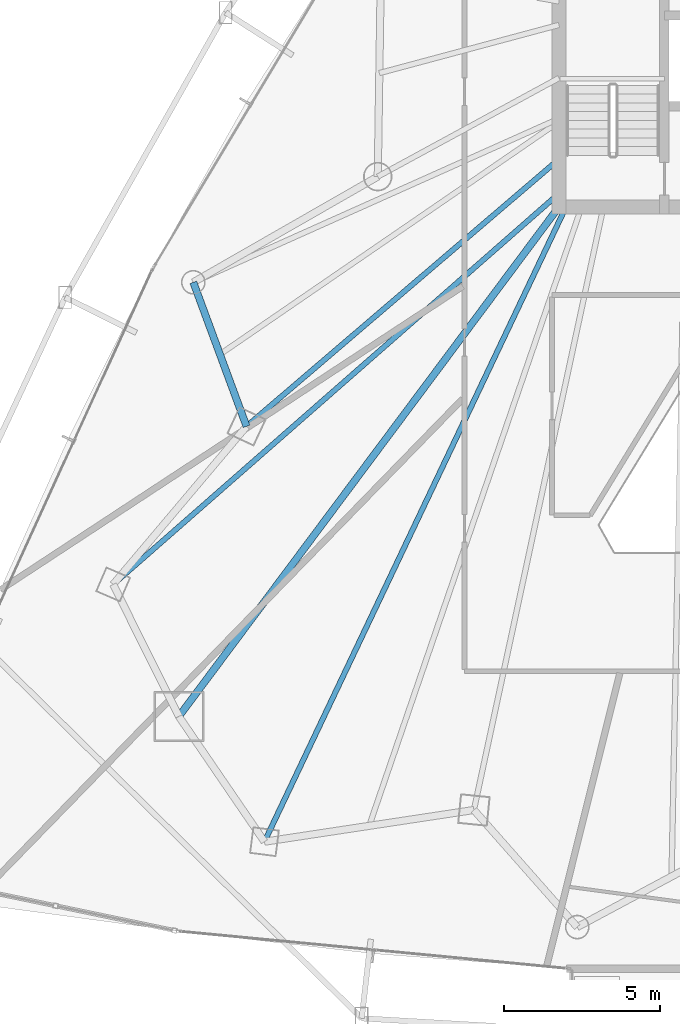
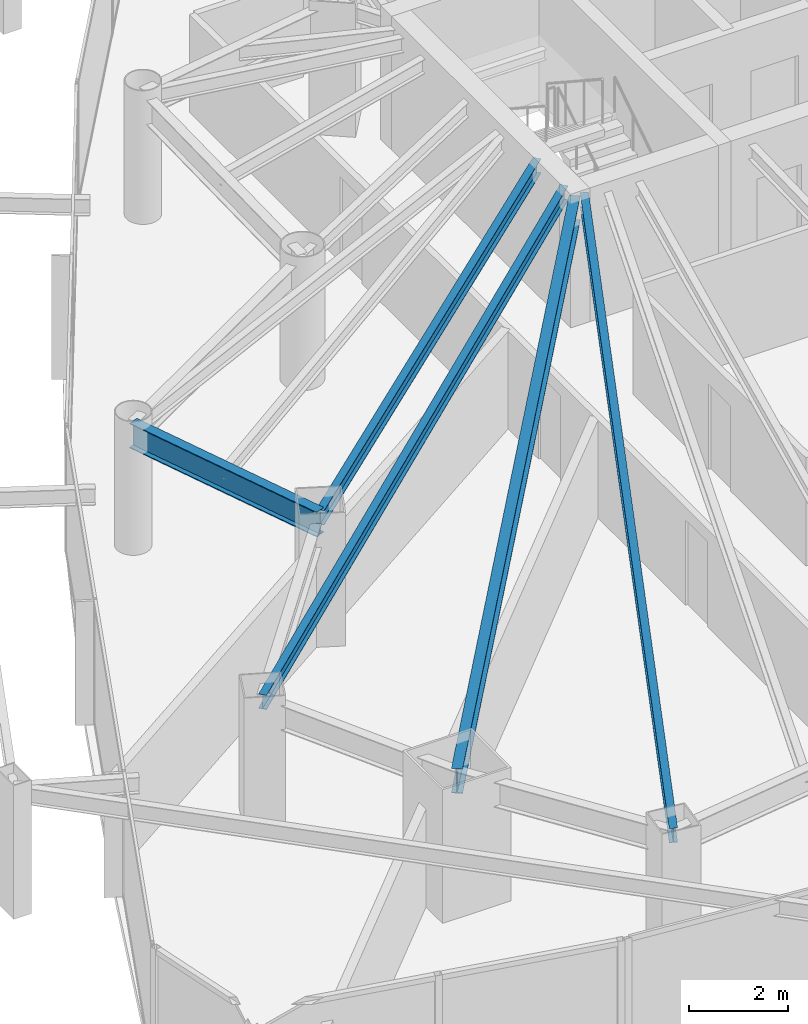
# One storey, part 9 of 33: 5 beams.
"""IFC4 building model written with IfcOpenShell, lengths in metres."""

from ifc_helpers import new_model, si_unit, direction, frame, origin, origin_2d, place, context, subcontext, project, spatial, i_section, extrude, material, material_profile, profile_set, type_object, element, save


model = new_model("IFC4")

# Units and contexts
model_context = context("Model", 3, precision=1e-05, world=origin(), true_north=direction((0.0, 1.0)))
body_context = subcontext(model_context, "Body", "Model", "MODEL_VIEW")
ifc_project = project(units=[si_unit("LENGTHUNIT", "METRE"), si_unit("AREAUNIT", "SQUARE_METRE"), si_unit("VOLUMEUNIT", "CUBIC_METRE"), si_unit("PLANEANGLEUNIT", "RADIAN"), si_unit("MASSUNIT", "GRAM", prefix="KILO")], contexts=[model_context])

# Site, building, storey
site_placement = place(None, origin())
site = spatial("IfcSite", under=ifc_project, at=site_placement, CompositionType="ELEMENT")
building_placement = place(site_placement, origin())
building = spatial("IfcBuilding", under=site, at=building_placement, Name="Orvanel Arch Residences", CompositionType="ELEMENT")
storey_placement = place(building_placement, frame((0.0, 0.0, 84.050048828125)))
storey = spatial("IfcBuildingStorey", under=building, at=storey_placement, Name="L23", CompositionType="ELEMENT", Elevation=84.050048828125)

# Beams
ifc_material = material(Name="Structural steel AS/NZS 3679.1 Grade 300 (300 MPa)", Category="steel")
ifc_material_profile_1 = material_profile(ifc_material, i_section(OverallWidth=0.22900390625, OverallDepth=0.612060546875, WebThickness=0.011962890625, FlangeThickness=0.01953125, at=origin_2d()), Name="610UB125")
ifc_profile_set_1 = profile_set([ifc_material_profile_1], Name="Structural steel AS/NZS 3679.1 Grade 300 (300 MPa)")
beam_type_1 = type_object("IfcBeamType", Name="BG-610UB", PredefinedType="BEAM", material=ifc_profile_set_1)
beam_1_placement = place(storey_placement, frame((26.375, 26.675048828125, 2.75390625), z_axis=(-0.597893733742, -0.801575375839, 0.0), x_axis=(0.801575375839, -0.597893733742, 0.0)))
element("IfcBeam", 1, at=beam_1_placement, inside=storey, type_object=beam_type_1, Name="L23 South-West Radial Girder", PredefinedType="BEAM", context=body_context, shape_type="SweptSolid", body=[
    extrude(i_section(OverallWidth=0.22900390625, OverallDepth=0.612060546875, WebThickness=0.011962890625, FlangeThickness=0.01953125, at=origin_2d()), origin(), (0.0, 0.0, 1.0), 20.36474609375),
])
ifc_material_profile_2 = material_profile(ifc_material, i_section(OverallWidth=0.1708984375, OverallDepth=0.35595703125, WebThickness=0.00732421875, FlangeThickness=0.011474609375, at=origin_2d()), Name="360UB50.7")
ifc_profile_set_2 = profile_set([ifc_material_profile_2], Name="Structural steel AS/NZS 3679.1 Grade 300 (300 MPa)")
beam_type_2 = type_object("IfcBeamType", Name="BJ-360UB", PredefinedType="JOIST", material=ifc_profile_set_2)
beam_2_placement = place(storey_placement, frame((26.375, 28.199951171875, 2.8818359375), z_axis=(-0.760024297953, -0.649894658018, 0.0), x_axis=(0.649894658018, -0.760024297953, 0.0)))
element("IfcBeam", 2, at=beam_2_placement, inside=storey, type_object=beam_type_2, Name="L23 W Wing Floor Joist", PredefinedType="JOIST", context=body_context, shape_type="SweptSolid", body=[
    extrude(i_section(OverallWidth=0.1708984375, OverallDepth=0.35595703125, WebThickness=0.00732421875, FlangeThickness=0.011474609375, at=origin_2d()), origin(), (0.0, 0.0, 1.0), 13.16796875),
])
beam_3_placement = place(storey_placement, frame((26.375, 27.10009765625, 2.8818359375), z_axis=(-0.751924114057, -0.659249669472, 0.0), x_axis=(0.659249669472, -0.751924114057, 0.0)))
element("IfcBeam", 3, at=beam_3_placement, inside=storey, type_object=beam_type_2, Name="L23 MW Wing Floor Joist", PredefinedType="JOIST", context=body_context, shape_type="SweptSolid", body=[
    extrude(i_section(OverallWidth=0.1708984375, OverallDepth=0.35595703125, WebThickness=0.00732421875, FlangeThickness=0.011474609375, at=origin_2d()), origin(), (0.0, 0.0, 1.0), 18.9912109375),
])
beam_4_placement = place(storey_placement, frame((26.60009765625, 26.675048828125, 2.8818359375), z_axis=(-0.429042657795, -0.903284228686, 0.0), x_axis=(0.903284228686, -0.429042657795, 0.0)))
element("IfcBeam", 4, at=beam_4_placement, inside=storey, type_object=beam_type_2, Name="L23 MSW Wing Floor Joist", PredefinedType="JOIST", context=body_context, shape_type="SweptSolid", body=[
    extrude(i_section(OverallWidth=0.1708984375, OverallDepth=0.35595703125, WebThickness=0.00732421875, FlangeThickness=0.011474609375, at=origin_2d()), origin(), (0.0, 0.0, 1.0), 22.513427734375),
])
ifc_material_profile_3 = material_profile(ifc_material, i_section(OverallWidth=0.22900390625, OverallDepth=0.612060546875, WebThickness=0.011962890625, FlangeThickness=0.01953125, at=origin_2d()), Name="610UB125")
ifc_profile_set_3 = profile_set([ifc_material_profile_3], Name="Structural steel AS/NZS 3679.1 Grade 300 (300 MPa)")
beam_type_3 = type_object("IfcBeamType", Name="SP-610UB", PredefinedType="SPANDREL", material=ifc_profile_set_3)
beam_5_placement = place(storey_placement, frame((14.662109375, 24.256103515625, 2.75390625), z_axis=(0.346588434017, -0.938017301229, 0.0), x_axis=(0.938017301229, 0.346588434017, 0.0)))
element("IfcBeam", 5, at=beam_5_placement, inside=storey, type_object=beam_type_3, Name="L23 Perimeter Spandrel Beam 22", PredefinedType="SPANDREL", context=body_context, shape_type="SweptSolid", body=[
    extrude(i_section(OverallWidth=0.22900390625, OverallDepth=0.612060546875, WebThickness=0.011962890625, FlangeThickness=0.01953125, at=origin_2d()), origin(), (0.0, 0.0, 1.0), 4.9189453125),
])

save(model, "model.ifc")
